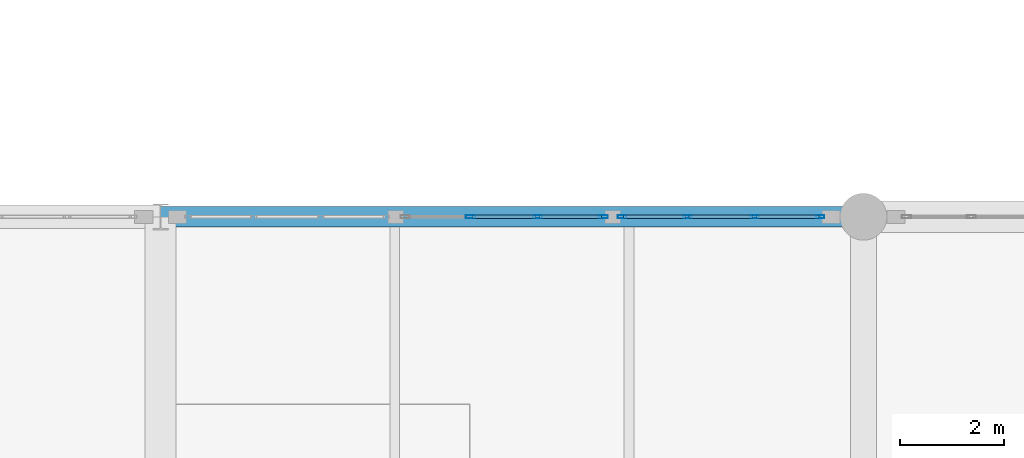
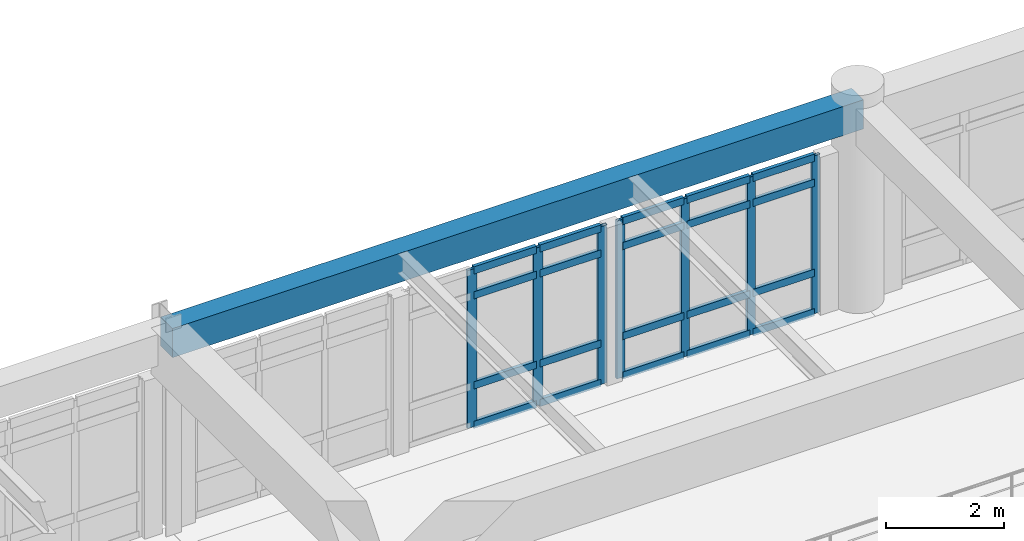
# One storey, part 34 of 80: 27 members, 1 beam, 2 elements without a shape of their own.
"""IFC4 building model written with IfcOpenShell, lengths in metres."""

from ifc_helpers import new_model, si_unit, direction, frame, origin, origin_2d, place, context, subcontext, project, spatial, rectangle, hollow_rectangle, extrude, material, layer, layer_set, material_profile, profile_set, type_object, element, aggregate, save


model = new_model("IFC4")

# Units and contexts
model_context = context("Model", 3, precision=1e-05, world=origin(), true_north=direction((0.0, 1.0)))
body_context = subcontext(model_context, "Body", "Model", "MODEL_VIEW")
ifc_project = project(units=[si_unit("LENGTHUNIT", "METRE"), si_unit("AREAUNIT", "SQUARE_METRE"), si_unit("VOLUMEUNIT", "CUBIC_METRE"), si_unit("PLANEANGLEUNIT", "RADIAN"), si_unit("MASSUNIT", "GRAM", prefix="KILO")], contexts=[model_context])

# Site, building, storey
site_placement = place(None, origin())
site = spatial("IfcSite", under=ifc_project, at=site_placement, CompositionType="ELEMENT")
building_placement = place(site_placement, origin())
building = spatial("IfcBuilding", under=site, at=building_placement, Name="Fikremerkos Civic Library", CompositionType="ELEMENT")
storey_placement = place(building_placement, frame((0.0, 0.0, 9.89990234375)))
storey = spatial("IfcBuildingStorey", under=building, at=storey_placement, Name="L02", CompositionType="ELEMENT", Elevation=9.89990234375)

# Curtain wall, members
ifc_material_1 = material(Name="Anodized aluminium Frame", Category="aluminium")
ifc_layer_1 = layer(ifc_material_1, 0.159912109375, Name="Anodized aluminium Frame")
ifc_layer_set_1 = layer_set([ifc_layer_1], Name="Anodized aluminium Frame")
curtain_wall_type_1 = type_object("IfcCurtainWallType", Name="Unitised curtain wall CW-17 4600x3600", PredefinedType="USERDEFINED", material=ifc_layer_set_1)
curtain_wall_1_placement = place(storey_placement, origin())
curtain_wall_1 = element("IfcCurtainWall", 1, at=curtain_wall_1_placement, inside=storey, type_object=curtain_wall_type_1, Name="Unitised curtain wall CW-17 L02 #161", ObjectType="UNITISED CURTAIN WALL", PredefinedType="USERDEFINED")
ifc_material_profile_1 = material_profile(ifc_material_1, hollow_rectangle(XDim=0.06494140625, YDim=0.179931640625, WallThickness=0.00439453125, at=origin_2d()), Name="ALU 180x65x4.5")
ifc_profile_set_1 = profile_set([ifc_material_profile_1], Name="Anodized aluminium Frame")
member_type_1 = type_object("IfcMemberType", Name="Curtain mullion CWM-01 ALU 180x65x4.5", PredefinedType="MULLION", material=ifc_profile_set_1)
member_1_placement = place(storey_placement, frame((79.1552734375, 48.0, 0.0), z_axis=(0.0, 0.0, 1.0), x_axis=(0.0, 1.0, 0.0)))
member_1 = element("IfcMember", 2, at=member_1_placement, type_object=member_type_1, Name="CW-17 mullion 2", PredefinedType="MULLION", context=body_context, shape_type="SweptSolid", body=[
    extrude(hollow_rectangle(XDim=0.06494140625, YDim=0.179931640625, WallThickness=0.00439453125, at=origin_2d()), origin(), (0.0, 0.0, 1.0), 3.260009765625),
])
member_2_placement = place(storey_placement, frame((80.444580078125, 48.0, 0.0), z_axis=(0.0, 0.0, 1.0), x_axis=(0.0, 1.0, 0.0)))
member_2 = element("IfcMember", 3, at=member_2_placement, type_object=member_type_1, Name="CW-17 mullion 3", PredefinedType="MULLION", context=body_context, shape_type="SweptSolid", body=[
    extrude(hollow_rectangle(XDim=0.06494140625, YDim=0.179931640625, WallThickness=0.00439453125, at=origin_2d()), origin(), (0.0, 0.0, 1.0), 3.260009765625),
])
member_3_placement = place(storey_placement, frame((81.701416015625, 48.0, 0.0), z_axis=(0.0, 0.0, 1.0), x_axis=(0.0, 1.0, 0.0)))
member_3 = element("IfcMember", 4, at=member_3_placement, type_object=member_type_1, Name="CW-17 mullion 4", PredefinedType="MULLION", context=body_context, shape_type="SweptSolid", body=[
    extrude(hollow_rectangle(XDim=0.06494140625, YDim=0.179931640625, WallThickness=0.00439453125, at=origin_2d()), origin(), (0.0, 0.0, 1.0), 3.260009765625),
])

ifc_layer_2 = layer(ifc_material_1, 0.159912109375, Name="Anodized aluminium Frame")
ifc_layer_set_2 = layer_set([ifc_layer_2], Name="Anodized aluminium Frame")
curtain_wall_type_2 = type_object("IfcCurtainWallType", Name="Unitised curtain wall CW-18 2700x3400", PredefinedType="USERDEFINED", material=ifc_layer_set_2)
curtain_wall_2_placement = place(storey_placement, origin())
curtain_wall_2 = element("IfcCurtainWall", 5, at=curtain_wall_2_placement, inside=storey, type_object=curtain_wall_type_2, Name="Unitised curtain wall CW-18 L02 #162", ObjectType="UNITISED CURTAIN WALL", PredefinedType="USERDEFINED")
ifc_material_profile_2 = material_profile(ifc_material_1, hollow_rectangle(XDim=0.06005859375, YDim=0.159912109375, WallThickness=0.00390625, at=origin_2d()), Name="ALU 160x60x4")
ifc_profile_set_2 = profile_set([ifc_material_profile_2], Name="Anodized aluminium Frame")
member_type_2 = type_object("IfcMemberType", Name="Curtain mullion CWM-02 ALU 160x60x4", PredefinedType="MULLION", material=ifc_profile_set_2)
member_4_placement = place(storey_placement, frame((82.06396484375, 48.0, 0.0), z_axis=(0.0, 0.0, 1.0), x_axis=(0.0, 1.0, 0.0)))
member_4 = element("IfcMember", 6, at=member_4_placement, type_object=member_type_2, Name="CW-18 mullion 1", PredefinedType="MULLION", context=body_context, shape_type="SweptSolid", body=[
    extrude(hollow_rectangle(XDim=0.06005859375, YDim=0.159912109375, WallThickness=0.00390625, at=origin_2d()), origin(), (0.0, 0.0, 1.0), 3.260009765625),
])
member_5_placement = place(storey_placement, frame((83.3232421875, 48.0, 0.0), z_axis=(0.0, 0.0, 1.0), x_axis=(0.0, 1.0, 0.0)))
member_5 = element("IfcMember", 7, at=member_5_placement, type_object=member_type_2, Name="CW-18 mullion 2", PredefinedType="MULLION", context=body_context, shape_type="SweptSolid", body=[
    extrude(hollow_rectangle(XDim=0.06005859375, YDim=0.159912109375, WallThickness=0.00390625, at=origin_2d()), origin(), (0.0, 0.0, 1.0), 3.260009765625),
])
member_6_placement = place(storey_placement, frame((84.612548828125, 48.0, 0.0), z_axis=(0.0, 0.0, 1.0), x_axis=(0.0, 1.0, 0.0)))
member_6 = element("IfcMember", 8, at=member_6_placement, type_object=member_type_2, Name="CW-18 mullion 3", PredefinedType="MULLION", context=body_context, shape_type="SweptSolid", body=[
    extrude(hollow_rectangle(XDim=0.06005859375, YDim=0.159912109375, WallThickness=0.00390625, at=origin_2d()), origin(), (0.0, 0.0, 1.0), 3.260009765625),
])
member_7_placement = place(storey_placement, frame((85.8720703125, 48.0, 0.0), z_axis=(0.0, 0.0, 1.0), x_axis=(0.0, 1.0, 0.0)))
member_7 = element("IfcMember", 9, at=member_7_placement, type_object=member_type_2, Name="CW-18 mullion 4", PredefinedType="MULLION", context=body_context, shape_type="SweptSolid", body=[
    extrude(hollow_rectangle(XDim=0.06005859375, YDim=0.159912109375, WallThickness=0.00390625, at=origin_2d()), origin(), (0.0, 0.0, 1.0), 3.260009765625),
])

# Member
ifc_material_profile_3 = material_profile(ifc_material_1, hollow_rectangle(XDim=0.070068359375, YDim=0.14990234375, WallThickness=0.00439453125, at=origin_2d()), Name="ALU 150x70x4.5")
ifc_profile_set_3 = profile_set([ifc_material_profile_3], Name="Anodized aluminium Frame")
member_type_3 = type_object("IfcMemberType", Name="Curtain transom CWT-01 ALU 150x70x4.5", PredefinedType="USERDEFINED", material=ifc_profile_set_3)
member_8_placement = place(storey_placement, frame((79.187744140625, 48.0, 0.03515625), z_axis=(1.0, 0.0, 0.0), x_axis=(0.0, 1.0, 0.0)))
member_8 = element("IfcMember", 10, at=member_8_placement, type_object=member_type_3, Name="CW-17 transom 2.1", ObjectType="TRANSOM", PredefinedType="USERDEFINED", context=body_context, shape_type="SweptSolid", body=[
    extrude(hollow_rectangle(XDim=0.070068359375, YDim=0.14990234375, WallThickness=0.00439453125, at=origin_2d()), origin(), (0.0, 0.0, 1.0), 1.224365234375),
])

member_9_placement = place(storey_placement, frame((79.187744140625, 48.0, 0.85009765625), z_axis=(1.0, 0.0, 0.0), x_axis=(0.0, 1.0, 0.0)))
member_9 = element("IfcMember", 11, at=member_9_placement, type_object=member_type_3, Name="CW-17 transom 2.2", ObjectType="TRANSOM", PredefinedType="USERDEFINED", context=body_context, shape_type="SweptSolid", body=[
    extrude(hollow_rectangle(XDim=0.070068359375, YDim=0.14990234375, WallThickness=0.00439453125, at=origin_2d()), origin(), (0.0, 0.0, 1.0), 1.224365234375),
])

member_10_placement = place(storey_placement, frame((79.187744140625, 48.0, 2.710205078125), z_axis=(1.0, 0.0, 0.0), x_axis=(0.0, 1.0, 0.0)))
member_10 = element("IfcMember", 12, at=member_10_placement, type_object=member_type_3, Name="CW-17 transom 2.3", ObjectType="TRANSOM", PredefinedType="USERDEFINED", context=body_context, shape_type="SweptSolid", body=[
    extrude(hollow_rectangle(XDim=0.070068359375, YDim=0.14990234375, WallThickness=0.00439453125, at=origin_2d()), origin(), (0.0, 0.0, 1.0), 1.224365234375),
])

member_11_placement = place(storey_placement, frame((79.187744140625, 48.0, 3.22509765625), z_axis=(1.0, 0.0, 0.0), x_axis=(0.0, 1.0, 0.0)))
member_11 = element("IfcMember", 13, at=member_11_placement, type_object=member_type_3, Name="CW-17 transom 2.4", ObjectType="TRANSOM", PredefinedType="USERDEFINED", context=body_context, shape_type="SweptSolid", body=[
    extrude(hollow_rectangle(XDim=0.070068359375, YDim=0.14990234375, WallThickness=0.00439453125, at=origin_2d()), origin(), (0.0, 0.0, 1.0), 1.224365234375),
])

member_12_placement = place(storey_placement, frame((80.47705078125, 48.0, 0.03515625), z_axis=(1.0, 0.0, 0.0), x_axis=(0.0, 1.0, 0.0)))
member_12 = element("IfcMember", 14, at=member_12_placement, type_object=member_type_3, Name="CW-17 transom 3.1", ObjectType="TRANSOM", PredefinedType="USERDEFINED", context=body_context, shape_type="SweptSolid", body=[
    extrude(hollow_rectangle(XDim=0.070068359375, YDim=0.14990234375, WallThickness=0.00439453125, at=origin_2d()), origin(), (0.0, 0.0, 1.0), 1.19189453125),
])

member_13_placement = place(storey_placement, frame((80.47705078125, 48.0, 0.85009765625), z_axis=(1.0, 0.0, 0.0), x_axis=(0.0, 1.0, 0.0)))
member_13 = element("IfcMember", 15, at=member_13_placement, type_object=member_type_3, Name="CW-17 transom 3.2", ObjectType="TRANSOM", PredefinedType="USERDEFINED", context=body_context, shape_type="SweptSolid", body=[
    extrude(hollow_rectangle(XDim=0.070068359375, YDim=0.14990234375, WallThickness=0.00439453125, at=origin_2d()), origin(), (0.0, 0.0, 1.0), 1.19189453125),
])

member_14_placement = place(storey_placement, frame((80.47705078125, 48.0, 2.710205078125), z_axis=(1.0, 0.0, 0.0), x_axis=(0.0, 1.0, 0.0)))
member_14 = element("IfcMember", 16, at=member_14_placement, type_object=member_type_3, Name="CW-17 transom 3.3", ObjectType="TRANSOM", PredefinedType="USERDEFINED", context=body_context, shape_type="SweptSolid", body=[
    extrude(hollow_rectangle(XDim=0.070068359375, YDim=0.14990234375, WallThickness=0.00439453125, at=origin_2d()), origin(), (0.0, 0.0, 1.0), 1.19189453125),
])

member_15_placement = place(storey_placement, frame((80.47705078125, 48.0, 3.22509765625), z_axis=(1.0, 0.0, 0.0), x_axis=(0.0, 1.0, 0.0)))
member_15 = element("IfcMember", 17, at=member_15_placement, type_object=member_type_3, Name="CW-17 transom 3.4", ObjectType="TRANSOM", PredefinedType="USERDEFINED", context=body_context, shape_type="SweptSolid", body=[
    extrude(hollow_rectangle(XDim=0.070068359375, YDim=0.14990234375, WallThickness=0.00439453125, at=origin_2d()), origin(), (0.0, 0.0, 1.0), 1.19189453125),
])

aggregate(curtain_wall_1, [member_1, member_2, member_3, member_8, member_9, member_10, member_11, member_12, member_13, member_14, member_15])

member_16_placement = place(storey_placement, frame((82.093994140625, 48.0, 0.03515625), z_axis=(1.0, 0.0, 0.0), x_axis=(0.0, 1.0, 0.0)))
member_16 = element("IfcMember", 18, at=member_16_placement, type_object=member_type_3, Name="CW-18 transom 1.1", ObjectType="TRANSOM", PredefinedType="USERDEFINED", context=body_context, shape_type="SweptSolid", body=[
    extrude(hollow_rectangle(XDim=0.070068359375, YDim=0.14990234375, WallThickness=0.00439453125, at=origin_2d()), origin(), (0.0, 0.0, 1.0), 1.19921875),
])

member_17_placement = place(storey_placement, frame((82.093994140625, 48.0, 0.85009765625), z_axis=(1.0, 0.0, 0.0), x_axis=(0.0, 1.0, 0.0)))
member_17 = element("IfcMember", 19, at=member_17_placement, type_object=member_type_3, Name="CW-18 transom 1.2", ObjectType="TRANSOM", PredefinedType="USERDEFINED", context=body_context, shape_type="SweptSolid", body=[
    extrude(hollow_rectangle(XDim=0.070068359375, YDim=0.14990234375, WallThickness=0.00439453125, at=origin_2d()), origin(), (0.0, 0.0, 1.0), 1.19921875),
])

member_18_placement = place(storey_placement, frame((82.093994140625, 48.0, 2.710205078125), z_axis=(1.0, 0.0, 0.0), x_axis=(0.0, 1.0, 0.0)))
member_18 = element("IfcMember", 20, at=member_18_placement, type_object=member_type_3, Name="CW-18 transom 1.3", ObjectType="TRANSOM", PredefinedType="USERDEFINED", context=body_context, shape_type="SweptSolid", body=[
    extrude(hollow_rectangle(XDim=0.070068359375, YDim=0.14990234375, WallThickness=0.00439453125, at=origin_2d()), origin(), (0.0, 0.0, 1.0), 1.19921875),
])

member_19_placement = place(storey_placement, frame((82.093994140625, 48.0, 3.22509765625), z_axis=(1.0, 0.0, 0.0), x_axis=(0.0, 1.0, 0.0)))
member_19 = element("IfcMember", 21, at=member_19_placement, type_object=member_type_3, Name="CW-18 transom 1.4", ObjectType="TRANSOM", PredefinedType="USERDEFINED", context=body_context, shape_type="SweptSolid", body=[
    extrude(hollow_rectangle(XDim=0.070068359375, YDim=0.14990234375, WallThickness=0.00439453125, at=origin_2d()), origin(), (0.0, 0.0, 1.0), 1.19921875),
])

member_20_placement = place(storey_placement, frame((83.353271484375, 48.0, 0.03515625), z_axis=(1.0, 0.0, 0.0), x_axis=(0.0, 1.0, 0.0)))
member_20 = element("IfcMember", 22, at=member_20_placement, type_object=member_type_3, Name="CW-18 transom 2.1", ObjectType="TRANSOM", PredefinedType="USERDEFINED", context=body_context, shape_type="SweptSolid", body=[
    extrude(hollow_rectangle(XDim=0.070068359375, YDim=0.14990234375, WallThickness=0.00439453125, at=origin_2d()), origin(), (0.0, 0.0, 1.0), 1.2294921875),
])

member_21_placement = place(storey_placement, frame((83.353271484375, 48.0, 0.85009765625), z_axis=(1.0, 0.0, 0.0), x_axis=(0.0, 1.0, 0.0)))
member_21 = element("IfcMember", 23, at=member_21_placement, type_object=member_type_3, Name="CW-18 transom 2.2", ObjectType="TRANSOM", PredefinedType="USERDEFINED", context=body_context, shape_type="SweptSolid", body=[
    extrude(hollow_rectangle(XDim=0.070068359375, YDim=0.14990234375, WallThickness=0.00439453125, at=origin_2d()), origin(), (0.0, 0.0, 1.0), 1.2294921875),
])

member_22_placement = place(storey_placement, frame((83.353271484375, 48.0, 2.710205078125), z_axis=(1.0, 0.0, 0.0), x_axis=(0.0, 1.0, 0.0)))
member_22 = element("IfcMember", 24, at=member_22_placement, type_object=member_type_3, Name="CW-18 transom 2.3", ObjectType="TRANSOM", PredefinedType="USERDEFINED", context=body_context, shape_type="SweptSolid", body=[
    extrude(hollow_rectangle(XDim=0.070068359375, YDim=0.14990234375, WallThickness=0.00439453125, at=origin_2d()), origin(), (0.0, 0.0, 1.0), 1.2294921875),
])

member_23_placement = place(storey_placement, frame((83.353271484375, 48.0, 3.22509765625), z_axis=(1.0, 0.0, 0.0), x_axis=(0.0, 1.0, 0.0)))
member_23 = element("IfcMember", 25, at=member_23_placement, type_object=member_type_3, Name="CW-18 transom 2.4", ObjectType="TRANSOM", PredefinedType="USERDEFINED", context=body_context, shape_type="SweptSolid", body=[
    extrude(hollow_rectangle(XDim=0.070068359375, YDim=0.14990234375, WallThickness=0.00439453125, at=origin_2d()), origin(), (0.0, 0.0, 1.0), 1.2294921875),
])

member_24_placement = place(storey_placement, frame((84.642578125, 48.0, 0.03515625), z_axis=(1.0, 0.0, 0.0), x_axis=(0.0, 1.0, 0.0)))
member_24 = element("IfcMember", 26, at=member_24_placement, type_object=member_type_3, Name="CW-18 transom 3.1", ObjectType="TRANSOM", PredefinedType="USERDEFINED", context=body_context, shape_type="SweptSolid", body=[
    extrude(hollow_rectangle(XDim=0.070068359375, YDim=0.14990234375, WallThickness=0.00439453125, at=origin_2d()), origin(), (0.0, 0.0, 1.0), 1.199462890625),
])

member_25_placement = place(storey_placement, frame((84.642578125, 48.0, 0.85009765625), z_axis=(1.0, 0.0, 0.0), x_axis=(0.0, 1.0, 0.0)))
member_25 = element("IfcMember", 27, at=member_25_placement, type_object=member_type_3, Name="CW-18 transom 3.2", ObjectType="TRANSOM", PredefinedType="USERDEFINED", context=body_context, shape_type="SweptSolid", body=[
    extrude(hollow_rectangle(XDim=0.070068359375, YDim=0.14990234375, WallThickness=0.00439453125, at=origin_2d()), origin(), (0.0, 0.0, 1.0), 1.199462890625),
])

member_26_placement = place(storey_placement, frame((84.642578125, 48.0, 2.710205078125), z_axis=(1.0, 0.0, 0.0), x_axis=(0.0, 1.0, 0.0)))
member_26 = element("IfcMember", 28, at=member_26_placement, type_object=member_type_3, Name="CW-18 transom 3.3", ObjectType="TRANSOM", PredefinedType="USERDEFINED", context=body_context, shape_type="SweptSolid", body=[
    extrude(hollow_rectangle(XDim=0.070068359375, YDim=0.14990234375, WallThickness=0.00439453125, at=origin_2d()), origin(), (0.0, 0.0, 1.0), 1.199462890625),
])

member_27_placement = place(storey_placement, frame((84.642578125, 48.0, 3.22509765625), z_axis=(1.0, 0.0, 0.0), x_axis=(0.0, 1.0, 0.0)))
member_27 = element("IfcMember", 29, at=member_27_placement, type_object=member_type_3, Name="CW-18 transom 3.4", ObjectType="TRANSOM", PredefinedType="USERDEFINED", context=body_context, shape_type="SweptSolid", body=[
    extrude(hollow_rectangle(XDim=0.070068359375, YDim=0.14990234375, WallThickness=0.00439453125, at=origin_2d()), origin(), (0.0, 0.0, 1.0), 1.199462890625),
])

aggregate(curtain_wall_2, [member_4, member_5, member_6, member_7, member_16, member_17, member_18, member_19, member_20, member_21, member_22, member_23, member_24, member_25, member_26, member_27])

# Beam
ifc_material_2 = material(Name="Concrete C40/50", Category="concrete")
ifc_material_profile_4 = material_profile(ifc_material_2, rectangle(XDim=0.39990234375, YDim=0.60009765625, at=origin_2d()), Name="RC 400x600")
ifc_profile_set_4 = profile_set([ifc_material_profile_4], Name="Concrete C40/50")
beam_type = type_object("IfcBeamType", Name="Primary girder BM-08 RC 400x600", PredefinedType="BEAM", material=ifc_profile_set_4)
beam_placement = place(storey_placement, frame((73.199951171875, 48.0, 3.920166015625), z_axis=(1.0, 0.0, 0.0), x_axis=(0.0, 1.0, 0.0)))
element("IfcBeam", 30, at=beam_placement, inside=storey, type_object=beam_type, Name="Primary girder BM-08 L02 grid J", PredefinedType="BEAM", context=body_context, shape_type="SweptSolid", body=[
    extrude(rectangle(XDim=0.39990234375, YDim=0.60009765625, at=origin_2d()), origin(), (0.0, 0.0, 1.0), 13.5),
])

save(model, "model.ifc")
